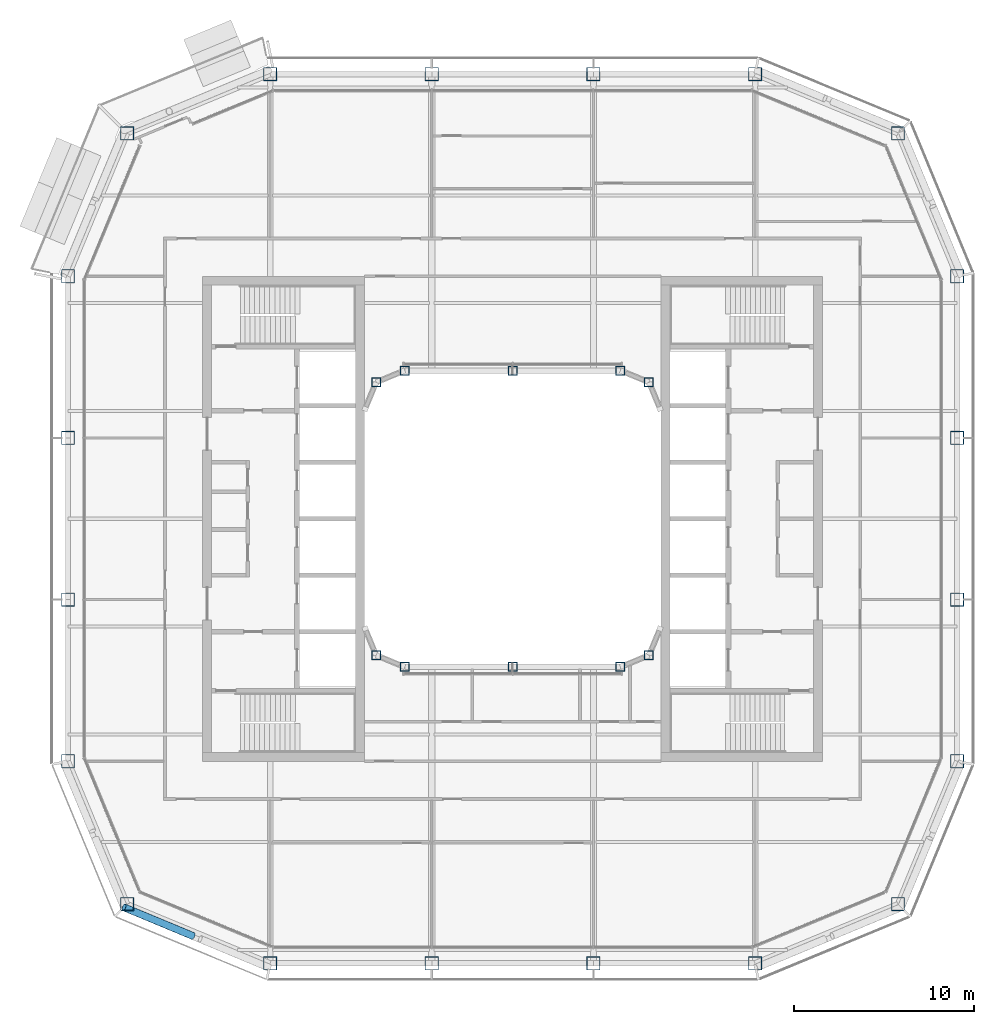
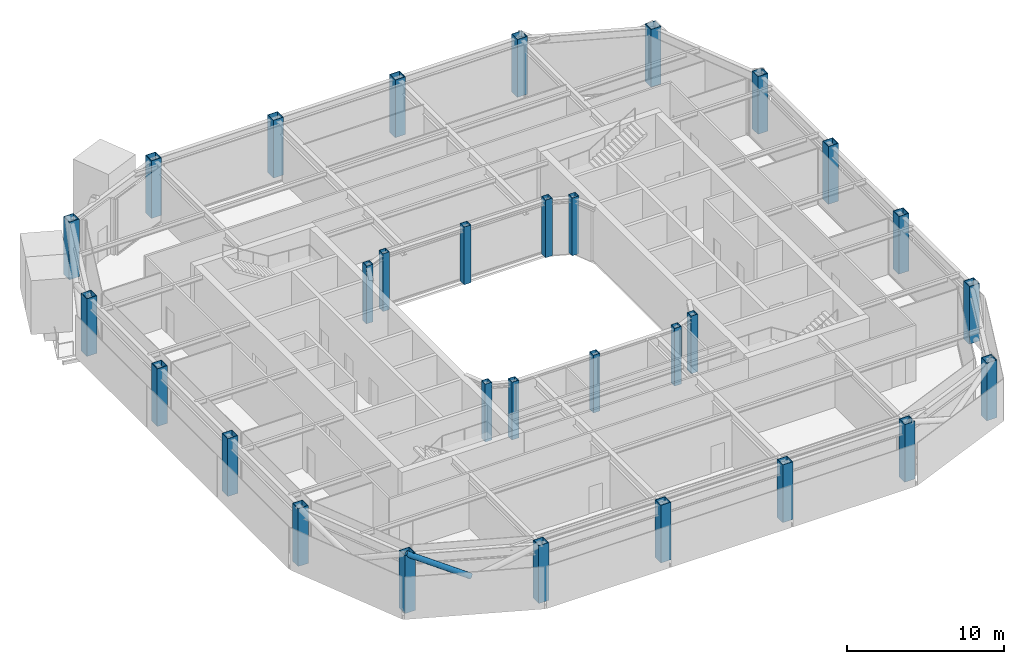
# One storey, part 1 of 21: 30 columns, 1 member.
"""IFC4 building model written with IfcOpenShell, lengths in metres."""

from ifc_helpers import new_model, si_unit, direction, frame, origin, origin_2d, place, context, subcontext, project, spatial, hollow_rectangle, hollow_circle, extrude, material, material_profile, profile_set, type_object, element, save


model = new_model("IFC4")

# Units and contexts
model_context = context("Model", 3, precision=1e-05, world=origin(), true_north=direction((0.0, 1.0)))
body_context = subcontext(model_context, "Body", "Model", "MODEL_VIEW")
ifc_project = project(units=[si_unit("LENGTHUNIT", "METRE"), si_unit("AREAUNIT", "SQUARE_METRE"), si_unit("VOLUMEUNIT", "CUBIC_METRE"), si_unit("PLANEANGLEUNIT", "RADIAN"), si_unit("MASSUNIT", "GRAM", prefix="KILO")], contexts=[model_context])

# Site, building, storey
site_placement = place(None, origin())
site = spatial("IfcSite", under=ifc_project, at=site_placement, CompositionType="ELEMENT")
building_placement = place(site_placement, origin())
building = spatial("IfcBuilding", under=site, at=building_placement, Name="Siwar Civic Tower", CompositionType="ELEMENT")
storey_placement = place(building_placement, frame((0.0, 0.0, 312.199951171875)))
storey = spatial("IfcBuildingStorey", under=building, at=storey_placement, Name="L67", CompositionType="ELEMENT", Elevation=312.199951171875)

# Columns
ifc_material_1 = material(Name="Steel S355", Category="steel")
ifc_material_profile_1 = material_profile(ifc_material_1, hollow_rectangle(XDim=0.75, YDim=0.75, WallThickness=0.0400390625, at=origin_2d()), Name="BOX750x750x40")
ifc_profile_set_1 = profile_set([ifc_material_profile_1], Name="Steel S355")
column_type_1 = type_object("IfcColumnType", Name="STR-COL-BOX750x750x40", PredefinedType="COLUMN", material=ifc_profile_set_1)
for number, where, z_axis, x_axis, name in (
    (1, (-13.5, -24.75, 0.0), (0.0, 0.0, 1.0), (1.0, 0.0, 0.0), "L67/col/S-0"),
    (2, (-4.5, -24.75, 0.0), (0.0, 0.0, 1.0), (1.0, 0.0, 0.0), "L67/col/S-1"),
    (3, (4.5, -24.75, 0.0), (0.0, 0.0, 1.0), (1.0, 0.0, 0.0), "L67/col/S-2"),
    (4, (13.5, -24.75, 0.0), (0.0, 0.0, 1.0), (1.0, 0.0, 0.0), "L67/col/SE1-0"),
    (5, (21.454833984375, -21.454833984375, 0.0), (0.0, 0.0, 1.0), (1.0, 0.0, 0.0), "L67/col/SE2-0"),
    (6, (24.75, -13.5, 0.0), (0.0, 0.0, 1.0), (1.0, 0.0, 0.0), "L67/col/E-0"),
    (7, (24.75, -4.5, 0.0), (0.0, 0.0, 1.0), (1.0, 0.0, 0.0), "L67/col/E-1"),
    (8, (24.75, 4.5, 0.0), (0.0, 0.0, 1.0), (1.0, 0.0, 0.0), "L67/col/E-2"),
    (9, (24.75, 13.5, 0.0), (0.0, 0.0, 1.0), (1.0, 0.0, 0.0), "L67/col/NE1-0"),
    (10, (21.454833984375, 21.454833984375, 0.0), (0.0, 0.0, 1.0), (1.0, 0.0, 0.0), "L67/col/NE2-0"),
    (11, (13.5, 24.75, 0.0), (0.0, 0.0, 1.0), (1.0, 0.0, 0.0), "L67/col/N-0"),
    (12, (4.5, 24.75, 0.0), (0.0, 0.0, 1.0), (1.0, 0.0, 0.0), "L67/col/N-1"),
    (13, (-4.5, 24.75, 0.0), (0.0, 0.0, 1.0), (1.0, 0.0, 0.0), "L67/col/N-2"),
    (14, (-13.5, 24.75, 0.0), (0.0, 0.0, 1.0), (1.0, 0.0, 0.0), "L67/col/NW1-0"),
    (15, (-21.454833984375, 21.454833984375, 0.0), (0.0, 0.0, 1.0), (1.0, 0.0, 0.0), "L67/col/NW2-0"),
    (16, (-24.75, 13.5, 0.0), (0.0, 0.0, 1.0), (1.0, 0.0, 0.0), "L67/col/W-0"),
    (17, (-24.75, 4.5, 0.0), (0.0, 0.0, 1.0), (1.0, 0.0, 0.0), "L67/col/W-1"),
    (18, (-24.75, -4.5, 0.0), (0.0, 0.0, 1.0), (1.0, 0.0, 0.0), "L67/col/W-2"),
    (19, (-24.75, -13.5, 0.0), (0.0, 0.0, 1.0), (1.0, 0.0, 0.0), "L67/col/SW1-0"),
    (20, (-21.454833984375, -21.454833984375, 0.0), (0.0, 0.0, 1.0), (1.0, 0.0, 0.0), "L67/col/SW2-0"),
):
    element("IfcColumn", number, at=place(storey_placement, frame(where, z_axis=z_axis, x_axis=x_axis)), inside=storey, type_object=column_type_1, Name=name, PredefinedType="COLUMN", context=body_context, shape_type="SweptSolid", body=[
        extrude(hollow_rectangle(XDim=0.75, YDim=0.75, WallThickness=0.0400390625, at=origin_2d()), origin(), (0.0, 0.0, 1.0), 4.5),
    ])
ifc_material_2 = material(Name="Steel S355", Category="steel")
ifc_material_profile_2 = material_profile(ifc_material_2, hollow_rectangle(XDim=0.5, YDim=0.5, WallThickness=0.02490234375, at=origin_2d()), Name="BOX500x500x25")
ifc_profile_set_2 = profile_set([ifc_material_profile_2], Name="Steel S355")
column_type_2 = type_object("IfcColumnType", Name="STR-ICOL-BOX500x500x25", PredefinedType="COLUMN", material=ifc_profile_set_2)
for number, where, z_axis, x_axis, name in (
    (21, (-7.591064453125, -7.591064453125, 0.0), (0.0, 0.0, 1.0), (1.0, 0.0, 0.0), "L67/col/IS-0"),
    (22, (-6.0, -8.25, 0.0), (0.0, 0.0, 1.0), (1.0, 0.0, 0.0), "L67/col/IS-1"),
    (23, (0.0, -8.25, 0.0), (0.0, 0.0, 1.0), (1.0, 0.0, 0.0), "L67/col/IS-2"),
    (24, (6.0, -8.25, 0.0), (0.0, 0.0, 1.0), (1.0, 0.0, 0.0), "L67/col/IS-3"),
    (25, (7.591064453125, -7.591064453125, 0.0), (0.0, 0.0, 1.0), (1.0, 0.0, 0.0), "L67/col/IS-4"),
    (26, (-7.591064453125, 7.591064453125, 0.0), (0.0, 0.0, 1.0), (1.0, 0.0, 0.0), "L67/col/IN-0"),
    (27, (-6.0, 8.25, 0.0), (0.0, 0.0, 1.0), (1.0, 0.0, 0.0), "L67/col/IN-1"),
    (28, (0.0, 8.25, 0.0), (0.0, 0.0, 1.0), (1.0, 0.0, 0.0), "L67/col/IN-2"),
    (29, (6.0, 8.25, 0.0), (0.0, 0.0, 1.0), (1.0, 0.0, 0.0), "L67/col/IN-3"),
    (30, (7.591064453125, 7.591064453125, 0.0), (0.0, 0.0, 1.0), (1.0, 0.0, 0.0), "L67/col/IN-4"),
):
    element("IfcColumn", number, at=place(storey_placement, frame(where, z_axis=z_axis, x_axis=x_axis)), inside=storey, type_object=column_type_2, Name=name, PredefinedType="COLUMN", context=body_context, shape_type="SweptSolid", body=[
        extrude(hollow_rectangle(XDim=0.5, YDim=0.5, WallThickness=0.02490234375, at=origin_2d()), origin(), (0.0, 0.0, 1.0), 4.5),
    ])

# Member
ifc_material_3 = material(Name="Steel S355", Category="steel")
ifc_material_profile_3 = material_profile(ifc_material_3, hollow_circle(Radius=0.203125, WallThickness=0.01611328125, at=origin_2d()), Name="CHS406.4x16")
ifc_profile_set_3 = profile_set([ifc_material_profile_3], Name="Steel S355")
member_type = type_object("IfcMemberType", Name="STR-BR-CHS406.4x16", PredefinedType="BRACE", material=ifc_profile_set_3)
member_placement = place(storey_placement, frame((-17.791259765625, -23.229736328125, 2.362060546875), z_axis=(-0.821166691915, 0.341652533125, 0.457120127208), x_axis=(-0.38413607648, -0.923276488787, 0.0)))
element("IfcMember", 31, at=member_placement, inside=storey, type_object=member_type, Name="L67/brc/DSW1-6-0-3", PredefinedType="BRACE", context=body_context, shape_type="SweptSolid", body=[
    extrude(hollow_circle(Radius=0.203125, WallThickness=0.01611328125, at=origin_2d()), origin(), (0.0, 0.0, 1.0), 4.677001953125),
])

save(model, "model.ifc")
